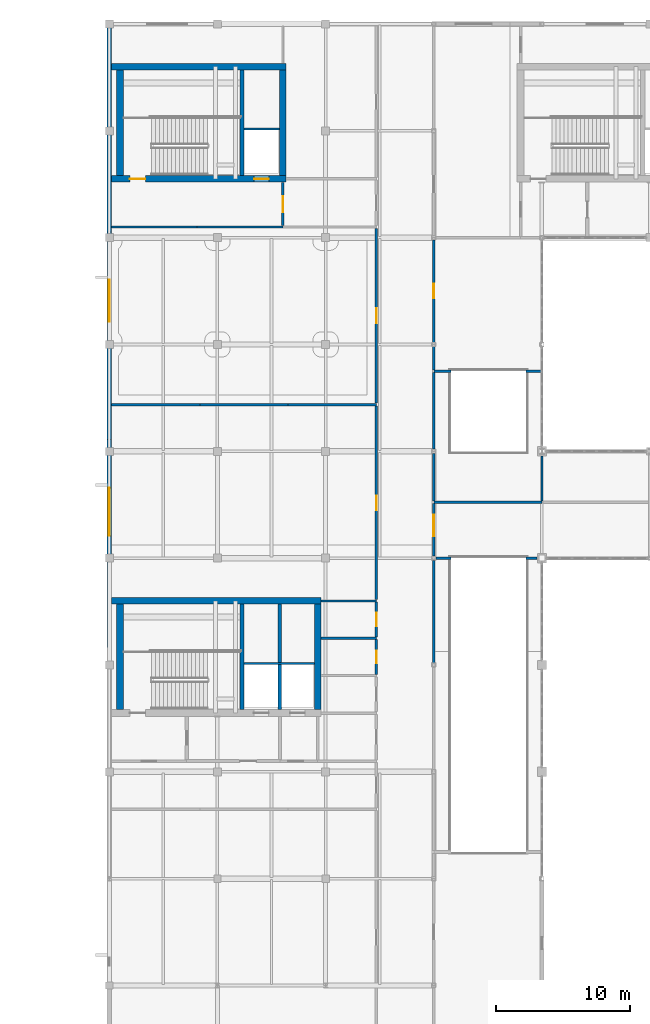
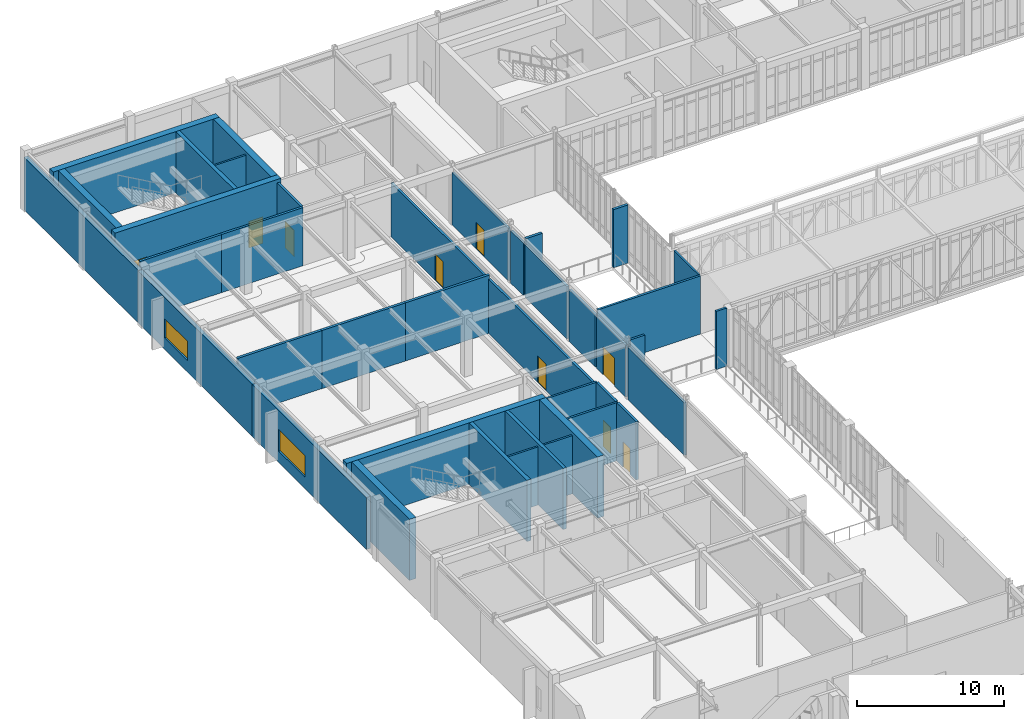
# One storey, part 95 of 107: 39 walls, 9 doors, 2 windows, 11 openings.
"""IFC4 building model written with IfcOpenShell, lengths in metres."""

from ifc_helpers import new_model, si_unit, direction, frame, frame_2d, origin, place, context, subcontext, project, spatial, rectangle, extrude, material, layer, layer_set, type_object, element, fill, save


model = new_model("IFC4")

# Units and contexts
model_context = context("Model", 3, precision=1e-05, world=origin(), true_north=direction((0.0, 1.0)))
body_context = subcontext(model_context, "Body", "Model", "MODEL_VIEW")
ifc_project = project(units=[si_unit("LENGTHUNIT", "METRE"), si_unit("AREAUNIT", "SQUARE_METRE"), si_unit("VOLUMEUNIT", "CUBIC_METRE"), si_unit("PLANEANGLEUNIT", "RADIAN"), si_unit("MASSUNIT", "GRAM", prefix="KILO")], contexts=[model_context])

# Site, building, storey
site_placement = place(None, origin())
site = spatial("IfcSite", under=ifc_project, at=site_placement, CompositionType="ELEMENT")
building_placement = place(site_placement, origin())
building = spatial("IfcBuilding", under=site, at=building_placement, Name="Tarnveldt Square Police Headquarters", CompositionType="ELEMENT")
storey_placement = place(building_placement, frame((0.0, 0.0, 14.699951171875)))
storey = spatial("IfcBuildingStorey", under=building, at=storey_placement, Name="L03", CompositionType="ELEMENT", Elevation=14.699951171875)

# Walls
ifc_material_1 = material(Name="Fire-rated Type X gypsum board on steel studs", Category="steel")
ifc_layer_1 = layer(ifc_material_1, 0.199951171875)
ifc_layer_set_1 = layer_set([ifc_layer_1], Name="Fire-rated Type X gypsum board on steel studs")
wall_type_1 = type_object("IfcWallType", Name="WL-ACOUST-200", PredefinedType="PARTITIONING", material=ifc_layer_set_1)
wall_1_placement = place(storey_placement, frame((16.367919921875, 83.5, 0.0), z_axis=(0.0, 0.0, 1.0), x_axis=(1.0, 0.0, 0.0)))
element("IfcWall", 1, at=wall_1_placement, inside=storey, type_object=wall_type_1, Name="L03 Interior Partition Wall 0441", PredefinedType="PARTITIONING", context=body_context, shape_type="SweptSolid", body=[
    extrude(rectangle(XDim=6.61083984375, YDim=0.199951171875, at=frame_2d((3.305419921875, 0.0))), origin(), (0.0, 0.0, 1.0), 4.840087890625),
])
for number, where, z_axis, x_axis, name in (
    (2, (22.978759765625, 83.5, 0.0), (0.0, 0.0, 1.0), (1.0, 0.0, 0.0), "L03 Interior Partition Wall 0442"),
    (3, (29.58935546875, 83.5, 0.0), (0.0, 0.0, 1.0), (1.0, 0.0, 0.0), "L03 Interior Partition Wall 0443"),
):
    element("IfcWall", number, at=place(storey_placement, frame(where, z_axis=z_axis, x_axis=x_axis)), inside=storey, type_object=wall_type_1, Name=name, PredefinedType="PARTITIONING", context=body_context, shape_type="SweptSolid", body=[
        extrude(rectangle(XDim=6.610595703125, YDim=0.199951171875, at=frame_2d((3.30517578125, 0.0))), origin(), (0.0, 0.0, 1.0), 4.840087890625),
    ])
wall_2_placement = place(storey_placement, frame((40.5, 86.0, 0.0), z_axis=(0.0, 0.0, 1.0), x_axis=(1.0, 0.0, 0.0)))
element("IfcWall", 4, at=wall_2_placement, inside=storey, type_object=wall_type_1, Name="L03 Interior Partition Wall 0464", PredefinedType="PARTITIONING", context=body_context, shape_type="SweptSolid", body=[
    extrude(rectangle(XDim=1.2900390625, YDim=0.199951171875, at=frame_2d((0.64501953125, 0.0))), origin(), (0.0, 0.0, 1.0), 4.840087890625),
])
wall_3_placement = place(storey_placement, frame((47.409912109375, 86.0, 0.0), z_axis=(0.0, 0.0, 1.0), x_axis=(1.0, 0.0, 0.0)))
element("IfcWall", 5, at=wall_3_placement, inside=storey, type_object=wall_type_1, Name="L03 Interior Partition Wall 0465", PredefinedType="PARTITIONING", context=body_context, shape_type="SweptSolid", body=[
    extrude(rectangle(XDim=1.125, YDim=0.199951171875, at=frame_2d((0.5625, 0.0))), origin(), (0.0, 0.0, 1.0), 4.840087890625),
])
ifc_material_2 = material(Name="Concrete 50 MPa", Category="concrete")
ifc_layer_2 = layer(ifc_material_2, 0.449951171875)
ifc_layer_set_2 = layer_set([ifc_layer_2], Name="Concrete 50 MPa")
wall_type_2 = type_object("IfcWallType", Name="WL-CORE-450", PredefinedType="SHEAR", material=ifc_layer_set_2)
wall_4_placement = place(storey_placement, frame((26.14990234375, 60.64990234375, 0.0), z_axis=(0.0, 0.0, 1.0), x_axis=(0.0, 1.0, 0.0)))
element("IfcWall", 6, at=wall_4_placement, inside=storey, type_object=wall_type_2, Name="Core K1 South-West Command and Firefighting Core L03 Stair-Lift Divider Shear Wall", PredefinedType="SHEAR", context=body_context, shape_type="SweptSolid", body=[
    extrude(rectangle(XDim=7.900146484375, YDim=0.300048828125, at=frame_2d((3.9501953125, 0.0))), origin(), (0.0, 0.0, 1.0), 5.10009765625),
])
wall_5_placement = place(storey_placement, frame((28.97509765625, 60.64990234375, 0.0), z_axis=(0.0, 0.0, 1.0), x_axis=(0.0, 1.0, 0.0)))
element("IfcWall", 7, at=wall_5_placement, inside=storey, type_object=wall_type_2, Name="Core K1 South-West Command and Firefighting Core L03 Dual-Lift Shaft Divider Wall", PredefinedType="SHEAR", context=body_context, shape_type="SweptSolid", body=[
    extrude(rectangle(XDim=7.900146484375, YDim=0.25, at=frame_2d((3.9501953125, 0.0))), origin(), (0.0, 0.0, 1.0), 5.10009765625),
])
wall_6_placement = place(storey_placement, frame((26.14990234375, 100.64990234375, 0.0), z_axis=(0.0, 0.0, 1.0), x_axis=(0.0, 1.0, 0.0)))
element("IfcWall", 8, at=wall_6_placement, inside=storey, type_object=wall_type_2, Name="Core K2 North-West Operations Core L03 Stair-Lift Divider Shear Wall", PredefinedType="SHEAR", context=body_context, shape_type="SweptSolid", body=[
    extrude(rectangle(XDim=7.900146484375, YDim=0.300048828125, at=frame_2d((3.9501953125, 0.0))), origin(), (0.0, 0.0, 1.0), 5.10009765625),
])
ifc_layer_3 = layer(ifc_material_2, 0.5)
ifc_layer_set_3 = layer_set([ifc_layer_3], Name="Concrete 50 MPa")
wall_type_3 = type_object("IfcWallType", Name="WL-CORE-500", PredefinedType="SHEAR", material=ifc_layer_set_3)
wall_7_placement = place(storey_placement, frame((16.360107421875, 68.800048828125, 0.0), z_axis=(0.0, 0.0, 1.0), x_axis=(1.0, 0.0, 0.0)))
element("IfcWall", 9, at=wall_7_placement, inside=storey, type_object=wall_type_3, Name="Core K1 South-West Command and Firefighting Core L03 North Shear Wall", PredefinedType="SHEAR", context=body_context, shape_type="SweptSolid", body=[
    extrude(rectangle(XDim=15.68994140625, YDim=0.5, at=frame_2d((7.844970703125, 0.0))), origin(), (0.0, 0.0, 1.0), 5.10009765625),
])
for number, where, z_axis, x_axis, name in (
    (10, (17.0, 60.64990234375, 0.0), (0.0, 0.0, 1.0), (0.0, 1.0, 0.0), "Core K1 South-West Command and Firefighting Core L03 West Shear Wall"),
    (11, (31.800048828125, 60.64990234375, 0.0), (0.0, 0.0, 1.0), (0.0, 1.0, 0.0), "Core K1 South-West Command and Firefighting Core L03 East Shear Wall"),
):
    element("IfcWall", number, at=place(storey_placement, frame(where, z_axis=z_axis, x_axis=x_axis)), inside=storey, type_object=wall_type_3, Name=name, PredefinedType="SHEAR", context=body_context, shape_type="SweptSolid", body=[
        extrude(rectangle(XDim=7.900146484375, YDim=0.5, at=frame_2d((3.9501953125, 0.0))), origin(), (0.0, 0.0, 1.0), 5.10009765625),
    ])

# Wall, openings, doors
wall_8_placement = place(storey_placement, frame((16.360107421875, 100.39990234375, 0.0), z_axis=(0.0, 0.0, 1.0), x_axis=(1.0, 0.0, 0.0)))
wall_8 = element("IfcWall", 12, at=wall_8_placement, inside=storey, type_object=wall_type_3, Name="Core K2 North-West Operations Core L03 South Shear Wall", PredefinedType="SHEAR", context=body_context, shape_type="SweptSolid", body=[
    extrude(rectangle(XDim=13.08984375, YDim=0.5, at=frame_2d((6.544921875, 0.0))), origin(), (0.0, 0.0, 1.0), 5.10009765625),
])
opening_1_placement = place(wall_8_placement, frame((1.389892578125, 0.0, 0.0)))
opening_1 = element("IfcOpeningElement", 13, at=opening_1_placement, cuts=wall_8, Name="Opening D-ST2-L03", PredefinedType="OPENING", context=body_context, shape_type="SweptSolid", body=[
    extrude(rectangle(XDim=1.14990234375, YDim=2.25, at=frame_2d((0.574951171875, 1.125))), frame((0.0, 0.260009765625, 0.0), z_axis=(0.0, -1.0, 0.0), x_axis=(1.0, 0.0, 0.0)), (0.0, 0.0, 1.0), 0.52001953125),
])
opening_2_placement = place(wall_8_placement, frame((10.695068359375, 0.0, 0.0)))
opening_2 = element("IfcOpeningElement", 14, at=opening_2_placement, cuts=wall_8, Name="Opening LD-LP2-L03", PredefinedType="OPENING", context=body_context, shape_type="SweptSolid", body=[
    extrude(rectangle(XDim=1.10009765625, YDim=2.199951171875, at=frame_2d((0.550048828125, 1.10009765625))), frame((0.0, 0.260009765625, 0.0), z_axis=(0.0, -1.0, 0.0), x_axis=(1.0, 0.0, 0.0)), (0.0, 0.0, 1.0), 0.52001953125),
])
ifc_material_3 = material(Name="Insulated hollow metal steel door leaf", Category="steel")
door_type_1 = type_object("IfcDoorType", Name="DR-FD90-1150", OperationType="NOTDEFINED", PredefinedType="DOOR", material=ifc_material_3)
door_1_placement = place(opening_1_placement, origin())
door_1 = element("IfcDoor", 15, at=door_1_placement, inside=storey, type_object=door_type_1, Name="Exit Stair ST2 L03 Fire Door", OperationType="SINGLE_SWING_LEFT", OverallHeight=2.25, OverallWidth=1.14990234375, PredefinedType="DOOR", context=body_context, shape_type="SweptSolid", body=[
    extrude(rectangle(XDim=1.14990234375, YDim=2.25, at=frame_2d((0.574951171875, 1.125))), frame((0.0, 0.02490234375, 0.0), z_axis=(0.0, -1.0, 0.0), x_axis=(1.0, 0.0, 0.0)), (0.0, 0.0, 1.0), 0.050048828125),
])
fill(opening_1, door_1)
ifc_material_4 = material(Name="Steel 350W", Category="steel")
door_type_2 = type_object("IfcDoorType", Name="DR-LD-1100", OperationType="DOUBLE_DOOR_SLIDING", PredefinedType="DOOR", material=ifc_material_4)
door_2_placement = place(opening_2_placement, frame((1.10009765625, 0.0, 0.0), z_axis=(0.0, 0.0, 1.0), x_axis=(-1.0, 0.0, 0.0)))
door_2 = element("IfcDoor", 16, at=door_2_placement, inside=storey, type_object=door_type_2, Name="Elevator LP2 L03 Sliding Landing Door", OperationType="DOUBLE_DOOR_SLIDING", OverallHeight=2.199951171875, OverallWidth=1.10009765625, PredefinedType="DOOR", context=body_context, shape_type="SweptSolid", body=[
    extrude(rectangle(XDim=1.10009765625, YDim=2.199951171875, at=frame_2d((0.550048828125, 1.10009765625))), frame((0.0, 0.02490234375, 0.0), z_axis=(0.0, -1.0, 0.0), x_axis=(1.0, 0.0, 0.0)), (0.0, 0.0, 1.0), 0.050048828125),
])
fill(opening_2, door_2)

# Walls
wall_9_placement = place(storey_placement, frame((16.360107421875, 108.800048828125, 0.0), z_axis=(0.0, 0.0, 1.0), x_axis=(1.0, 0.0, 0.0)))
element("IfcWall", 17, at=wall_9_placement, inside=storey, type_object=wall_type_3, Name="Core K2 North-West Operations Core L03 North Shear Wall", PredefinedType="SHEAR", context=body_context, shape_type="SweptSolid", body=[
    extrude(rectangle(XDim=13.08984375, YDim=0.5, at=frame_2d((6.544921875, 0.0))), origin(), (0.0, 0.0, 1.0), 5.10009765625),
])
for number, where, z_axis, x_axis, name in (
    (18, (17.0, 100.64990234375, 0.0), (0.0, 0.0, 1.0), (0.0, 1.0, 0.0), "Core K2 North-West Operations Core L03 West Shear Wall"),
    (19, (29.199951171875, 100.64990234375, 0.0), (0.0, 0.0, 1.0), (0.0, 1.0, 0.0), "Core K2 North-West Operations Core L03 East Shear Wall"),
):
    element("IfcWall", number, at=place(storey_placement, frame(where, z_axis=z_axis, x_axis=x_axis)), inside=storey, type_object=wall_type_3, Name=name, PredefinedType="SHEAR", context=body_context, shape_type="SweptSolid", body=[
        extrude(rectangle(XDim=7.900146484375, YDim=0.5, at=frame_2d((3.9501953125, 0.0))), origin(), (0.0, 0.0, 1.0), 5.10009765625),
    ])
ifc_material_5 = material(Name="Concrete 40 MPa", Category="concrete")
ifc_layer_4 = layer(ifc_material_5, 0.320068359375)
ifc_layer_set_4 = layer_set([ifc_layer_4], Name="Concrete 40 MPa")
wall_type_4 = type_object("IfcWallType", Name="WL-EXT-BH320", PredefinedType="SOLIDWALL", material=ifc_layer_set_4)
wall_10_placement = place(storey_placement, frame((16.199951171875, 112.0, 0.0), z_axis=(0.0, 0.0, 1.0), x_axis=(0.0, -1.0, 0.0)))
element("IfcWall", 20, at=wall_10_placement, inside=storey, type_object=wall_type_4, Name="L03 Brutalist Exterior Wall 0179", PredefinedType="SOLIDWALL", context=body_context, shape_type="SweptSolid", body=[
    extrude(rectangle(XDim=15.56396484375, YDim=0.320068359375, at=frame_2d((7.781982421875, 0.0))), origin(), (0.0, 0.0, 1.0), 4.369140625),
])

# Wall, opening, window
wall_11_placement = place(storey_placement, frame((16.199951171875, 96.43603515625, 0.0), z_axis=(0.0, 0.0, 1.0), x_axis=(0.0, -1.0, 0.0)))
wall_11 = element("IfcWall", 21, at=wall_11_placement, inside=storey, type_object=wall_type_4, Name="L03 Brutalist Exterior Wall 0180", PredefinedType="SOLIDWALL", context=body_context, shape_type="SweptSolid", body=[
    extrude(rectangle(XDim=15.56396484375, YDim=0.320068359375, at=frame_2d((7.781982421875, 0.0))), origin(), (0.0, 0.0, 1.0), 4.33203125),
])
opening_3_placement = place(wall_11_placement, frame((3.60009765625, 0.0, 0.949951171875)))
opening_3 = element("IfcOpeningElement", 22, at=opening_3_placement, cuts=wall_11, Name="Opening W18", PredefinedType="OPENING", context=body_context, shape_type="SweptSolid", body=[
    extrude(rectangle(XDim=3.14990234375, YDim=1.60009765625, at=frame_2d((1.574951171875, 0.800048828125))), frame((0.0, 0.169921875, 0.0), z_axis=(0.0, -1.0, 0.0), x_axis=(1.0, 0.0, 0.0)), (0.0, 0.0, 1.0), 0.340087890625),
])
ifc_material_6 = material(Name="Triple-glazed low-e laminated vision glass", Category="glass")
window_type_1 = type_object("IfcWindowType", Name="WIN-DR-315x160", PartitioningType="TRIPLE_PANEL_VERTICAL", PredefinedType="WINDOW", material=ifc_material_6)
window_1_placement = place(opening_3_placement, origin())
window_1 = element("IfcWindow", 23, at=window_1_placement, inside=storey, type_object=window_type_1, Name="L03 Deep-Reveal Brutalist Window 0090", OverallHeight=1.60009765625, OverallWidth=3.14990234375, PartitioningType="TRIPLE_PANEL_VERTICAL", PredefinedType="WINDOW", context=body_context, shape_type="SweptSolid", body=[
    extrude(rectangle(XDim=3.14990234375, YDim=1.60009765625, at=frame_2d((1.574951171875, 0.800048828125))), frame((0.0, 0.030029296875, 0.0), z_axis=(0.0, -1.0, 0.0), x_axis=(1.0, 0.0, 0.0)), (0.0, 0.0, 1.0), 0.06005859375),
])
fill(opening_3, window_1)

wall_12_placement = place(storey_placement, frame((16.199951171875, 80.8720703125, 0.0), z_axis=(0.0, 0.0, 1.0), x_axis=(0.0, -1.0, 0.0)))
wall_12 = element("IfcWall", 24, at=wall_12_placement, inside=storey, type_object=wall_type_4, Name="L03 Brutalist Exterior Wall 0181", PredefinedType="SOLIDWALL", context=body_context, shape_type="SweptSolid", body=[
    extrude(rectangle(XDim=15.56396484375, YDim=0.320068359375, at=frame_2d((7.781982421875, 0.0))), origin(), (0.0, 0.0, 1.0), 4.33203125),
])
opening_4_placement = place(wall_12_placement, frame((3.60009765625, 0.0, 0.949951171875)))
opening_4 = element("IfcOpeningElement", 25, at=opening_4_placement, cuts=wall_12, Name="Opening W19", PredefinedType="OPENING", context=body_context, shape_type="SweptSolid", body=[
    extrude(rectangle(XDim=3.60009765625, YDim=1.800048828125, at=frame_2d((1.800048828125, 0.89990234375))), frame((0.0, 0.169921875, 0.0), z_axis=(0.0, -1.0, 0.0), x_axis=(1.0, 0.0, 0.0)), (0.0, 0.0, 1.0), 0.340087890625),
])
window_type_2 = type_object("IfcWindowType", Name="WIN-DR-360x180", PartitioningType="TRIPLE_PANEL_VERTICAL", PredefinedType="WINDOW", material=ifc_material_6)
window_2_placement = place(opening_4_placement, origin())
window_2 = element("IfcWindow", 26, at=window_2_placement, inside=storey, type_object=window_type_2, Name="L03 Deep-Reveal Brutalist Window 0091", OverallHeight=1.800048828125, OverallWidth=3.60009765625, PartitioningType="TRIPLE_PANEL_VERTICAL", PredefinedType="WINDOW", context=body_context, shape_type="SweptSolid", body=[
    extrude(rectangle(XDim=3.60009765625, YDim=1.800048828125, at=frame_2d((1.800048828125, 0.89990234375))), frame((0.0, 0.030029296875, 0.0), z_axis=(0.0, -1.0, 0.0), x_axis=(1.0, 0.0, 0.0)), (0.0, 0.0, 1.0), 0.06005859375),
])
fill(opening_4, window_2)

# Walls
ifc_layer_5 = layer(ifc_material_1, 0.179931640625)
ifc_layer_set_5 = layer_set([ifc_layer_5], Name="Fire-rated Type X gypsum board on steel studs")
wall_type_5 = type_object("IfcWallType", Name="WL-FIRE-180", PredefinedType="PARTITIONING", material=ifc_layer_set_5)
for number, where, z_axis, x_axis, name in (
    (27, (16.367919921875, 96.800048828125, 0.0), (0.0, 0.0, 1.0), (1.0, 0.0, 0.0), "L03 Interior Partition Wall 0444"),
    (28, (22.783935546875, 96.800048828125, 0.0), (0.0, 0.0, 1.0), (1.0, 0.0, 0.0), "L03 Interior Partition Wall 0445"),
):
    element("IfcWall", number, at=place(storey_placement, frame(where, z_axis=z_axis, x_axis=x_axis)), inside=storey, type_object=wall_type_5, Name=name, PredefinedType="PARTITIONING", context=body_context, shape_type="SweptSolid", body=[
        extrude(rectangle(XDim=6.416015625, YDim=0.179931640625, at=frame_2d((3.2080078125, 0.0))), origin(), (0.0, 0.0, 1.0), 4.840087890625),
    ])
wall_13_placement = place(storey_placement, frame((40.660400390625, 72.0, 0.0), z_axis=(0.0, 0.0, 1.0), x_axis=(1.0, 0.0, 0.0)))
element("IfcWall", 29, at=wall_13_placement, inside=storey, type_object=wall_type_5, Name="L03 Interior Partition Wall 0461", PredefinedType="PARTITIONING", context=body_context, shape_type="SweptSolid", body=[
    extrude(rectangle(XDim=1.129638671875, YDim=0.179931640625, at=frame_2d((0.56494140625, 0.0))), origin(), (0.0, 0.0, 1.0), 4.840087890625),
])
wall_14_placement = place(storey_placement, frame((47.409912109375, 72.0, 0.0), z_axis=(0.0, 0.0, 1.0), x_axis=(1.0, 0.0, 0.0)))
element("IfcWall", 30, at=wall_14_placement, inside=storey, type_object=wall_type_5, Name="L03 Interior Partition Wall 0462", PredefinedType="PARTITIONING", context=body_context, shape_type="SweptSolid", body=[
    extrude(rectangle(XDim=0.83203125, YDim=0.179931640625, at=frame_2d((0.416015625, 0.0))), origin(), (0.0, 0.0, 1.0), 4.840087890625),
])
wall_15_placement = place(storey_placement, frame((40.5, 76.199951171875, 0.0), z_axis=(0.0, 0.0, 1.0), x_axis=(1.0, 0.0, 0.0)))
element("IfcWall", 31, at=wall_15_placement, inside=storey, type_object=wall_type_5, Name="L03 Interior Partition Wall 0463", PredefinedType="PARTITIONING", context=body_context, shape_type="SweptSolid", body=[
    extrude(rectangle(XDim=8.10009765625, YDim=0.179931640625, at=frame_2d((4.050048828125, 0.0))), origin(), (0.0, 0.0, 1.0), 4.840087890625),
])

# Wall, opening, door
wall_16_placement = place(storey_placement, frame((29.199951171875, 96.89794921875, 0.0), z_axis=(0.0, 0.0, 1.0), x_axis=(0.0, 1.0, 0.0)))
wall_16 = element("IfcWall", 32, at=wall_16_placement, inside=storey, type_object=wall_type_5, Name="L03 Interior Partition Wall 0484", PredefinedType="PARTITIONING", context=body_context, shape_type="SweptSolid", body=[
    extrude(rectangle(XDim=3.244140625, YDim=0.179931640625, at=frame_2d((1.6220703125, 0.0))), origin(), (0.0, 0.0, 1.0), 4.840087890625),
])
opening_5_placement = place(wall_16_placement, frame((1.02197265625, 0.0, 0.0)))
opening_5 = element("IfcOpeningElement", 33, at=opening_5_placement, cuts=wall_16, Name="Opening D16", PredefinedType="OPENING", context=body_context, shape_type="SweptSolid", body=[
    extrude(rectangle(XDim=1.199951171875, YDim=2.199951171875, at=frame_2d((0.60009765625, 1.10009765625))), frame((0.0, 0.099853515625, 0.0), z_axis=(0.0, -1.0, 0.0), x_axis=(1.0, 0.0, 0.0)), (0.0, 0.0, 1.0), 0.199951171875),
])
door_type_3 = type_object("IfcDoorType", Name="DR-FD60-1200", OperationType="NOTDEFINED", PredefinedType="DOOR", material=ifc_material_3)
door_3_placement = place(opening_5_placement, frame((1.199951171875, 0.0, 0.0), z_axis=(0.0, 0.0, 1.0), x_axis=(-1.0, 0.0, 0.0)))
door_3 = element("IfcDoor", 34, at=door_3_placement, inside=storey, type_object=door_type_3, Name="Core Lift Lobby K2-L03 Door", OperationType="SINGLE_SWING_RIGHT", OverallHeight=2.199951171875, OverallWidth=1.199951171875, PredefinedType="DOOR", context=body_context, shape_type="SweptSolid", body=[
    extrude(rectangle(XDim=1.199951171875, YDim=2.199951171875, at=frame_2d((0.60009765625, 1.10009765625))), frame((0.0, 0.02490234375, 0.0), z_axis=(0.0, -1.0, 0.0), x_axis=(1.0, 0.0, 0.0)), (0.0, 0.0, 1.0), 0.050048828125),
])
fill(opening_5, door_3)

wall_17_placement = place(storey_placement, frame((36.199951171875, 63.2880859375, 0.0), z_axis=(0.0, 0.0, 1.0), x_axis=(0.0, 1.0, 0.0)))
wall_17 = element("IfcWall", 35, at=wall_17_placement, inside=storey, type_object=wall_type_5, Name="L03 Interior Partition Wall 0494", PredefinedType="PARTITIONING", context=body_context, shape_type="SweptSolid", body=[
    extrude(rectangle(XDim=2.6240234375, YDim=0.179931640625, at=frame_2d((1.31201171875, 0.0))), origin(), (0.0, 0.0, 1.0), 4.840087890625),
])
opening_6_placement = place(wall_17_placement, frame((0.8369140625, 0.0, 0.0)))
opening_6 = element("IfcOpeningElement", 36, at=opening_6_placement, cuts=wall_17, Name="Opening D02", PredefinedType="OPENING", context=body_context, shape_type="SweptSolid", body=[
    extrude(rectangle(XDim=0.949951171875, YDim=2.10009765625, at=frame_2d((0.47509765625, 1.050048828125))), frame((0.0, 0.099853515625, 0.0), z_axis=(0.0, -1.0, 0.0), x_axis=(1.0, 0.0, 0.0)), (0.0, 0.0, 1.0), 0.199951171875),
])
ifc_material_7 = material(Name="Solid core architectural birch door leaf", Category="wood")
door_type_4 = type_object("IfcDoorType", Name="DR-WC-950", OperationType="NOTDEFINED", PredefinedType="DOOR", material=ifc_material_7)
door_4_placement = place(opening_6_placement, origin())
door_4 = element("IfcDoor", 37, at=door_4_placement, inside=storey, type_object=door_type_4, Name="Women Washroom L03 Door", OperationType="SINGLE_SWING_RIGHT", OverallHeight=2.10009765625, OverallWidth=0.949951171875, PredefinedType="DOOR", context=body_context, shape_type="SweptSolid", body=[
    extrude(rectangle(XDim=0.949951171875, YDim=2.10009765625, at=frame_2d((0.47509765625, 1.050048828125))), frame((0.0, 0.02490234375, 0.0), z_axis=(0.0, -1.0, 0.0), x_axis=(1.0, 0.0, 0.0)), (0.0, 0.0, 1.0), 0.050048828125),
])
fill(opening_6, door_4)

wall_18_placement = place(storey_placement, frame((36.199951171875, 66.087890625, 0.0), z_axis=(0.0, 0.0, 1.0), x_axis=(0.0, 1.0, 0.0)))
wall_18 = element("IfcWall", 38, at=wall_18_placement, inside=storey, type_object=wall_type_5, Name="L03 Interior Partition Wall 0495", PredefinedType="PARTITIONING", context=body_context, shape_type="SweptSolid", body=[
    extrude(rectangle(XDim=2.6240234375, YDim=0.179931640625, at=frame_2d((1.31201171875, 0.0))), origin(), (0.0, 0.0, 1.0), 4.840087890625),
])
opening_7_placement = place(wall_18_placement, frame((0.81201171875, 0.0, 0.0)))
opening_7 = element("IfcOpeningElement", 39, at=opening_7_placement, cuts=wall_18, Name="Opening D04", PredefinedType="OPENING", context=body_context, shape_type="SweptSolid", body=[
    extrude(rectangle(XDim=1.0, YDim=2.14990234375, at=frame_2d((0.5, 1.074951171875))), frame((0.0, 0.099853515625, 0.0), z_axis=(0.0, -1.0, 0.0), x_axis=(1.0, 0.0, 0.0)), (0.0, 0.0, 1.0), 0.199951171875),
])
door_type_5 = type_object("IfcDoorType", Name="DR-ACC-1000", OperationType="NOTDEFINED", PredefinedType="DOOR", material=ifc_material_7)
door_5_placement = place(opening_7_placement, origin())
door_5 = element("IfcDoor", 40, at=door_5_placement, inside=storey, type_object=door_type_5, Name="Accessible WC L03 Door", OperationType="SINGLE_SWING_LEFT", OverallHeight=2.14990234375, OverallWidth=1.0, PredefinedType="DOOR", context=body_context, shape_type="SweptSolid", body=[
    extrude(rectangle(XDim=1.0, YDim=2.14990234375, at=frame_2d((0.5, 1.074951171875))), frame((0.0, 0.02490234375, 0.0), z_axis=(0.0, -1.0, 0.0), x_axis=(1.0, 0.0, 0.0)), (0.0, 0.0, 1.0), 0.050048828125),
])
fill(opening_7, door_5)

wall_19_placement = place(storey_placement, frame((36.199951171875, 68.887939453125, 0.0), z_axis=(0.0, 0.0, 1.0), x_axis=(0.0, 1.0, 0.0)))
wall_19 = element("IfcWall", 41, at=wall_19_placement, inside=storey, type_object=wall_type_5, Name="L03 Interior Partition Wall 0496", PredefinedType="PARTITIONING", context=body_context, shape_type="SweptSolid", body=[
    extrude(rectangle(XDim=14.504150390625, YDim=0.179931640625, at=frame_2d((7.251953125, 0.0))), origin(), (0.0, 0.0, 1.0), 4.529052734375),
])
opening_8_placement = place(wall_19_placement, frame((6.701904296875, 0.0, 0.0)))
opening_8 = element("IfcOpeningElement", 42, at=opening_8_placement, cuts=wall_19, Name="Opening D07", PredefinedType="OPENING", context=body_context, shape_type="SweptSolid", body=[
    extrude(rectangle(XDim=1.10009765625, YDim=2.199951171875, at=frame_2d((0.550048828125, 1.10009765625))), frame((0.0, 0.099853515625, 0.0), z_axis=(0.0, -1.0, 0.0), x_axis=(1.0, 0.0, 0.0)), (0.0, 0.0, 1.0), 0.199951171875),
])
door_type_6 = type_object("IfcDoorType", Name="DR-INT-1100", OperationType="NOTDEFINED", PredefinedType="DOOR", material=ifc_material_7)
door_6_placement = place(opening_8_placement, origin())
door_6 = element("IfcDoor", 43, at=door_6_placement, inside=storey, type_object=door_type_6, Name="Organized Crime Enforcement Bureau Door", OperationType="SINGLE_SWING_RIGHT", OverallHeight=2.199951171875, OverallWidth=1.10009765625, PredefinedType="DOOR", context=body_context, shape_type="SweptSolid", body=[
    extrude(rectangle(XDim=1.10009765625, YDim=2.199951171875, at=frame_2d((0.550048828125, 1.10009765625))), frame((0.0, 0.02490234375, 0.0), z_axis=(0.0, -1.0, 0.0), x_axis=(1.0, 0.0, 0.0)), (0.0, 0.0, 1.0), 0.050048828125),
])
fill(opening_8, door_6)

wall_20_placement = place(storey_placement, frame((36.199951171875, 83.60791015625, 0.0), z_axis=(0.0, 0.0, 1.0), x_axis=(0.0, 1.0, 0.0)))
wall_20 = element("IfcWall", 44, at=wall_20_placement, inside=storey, type_object=wall_type_5, Name="L03 Interior Partition Wall 0497", PredefinedType="PARTITIONING", context=body_context, shape_type="SweptSolid", body=[
    extrude(rectangle(XDim=13.093994140625, YDim=0.179931640625, at=frame_2d((6.546875, 0.0))), origin(), (0.0, 0.0, 1.0), 4.47802734375),
])
opening_9_placement = place(wall_20_placement, frame((5.9970703125, 0.0, 0.0)))
opening_9 = element("IfcOpeningElement", 45, at=opening_9_placement, cuts=wall_20, Name="Opening D07", PredefinedType="OPENING", context=body_context, shape_type="SweptSolid", body=[
    extrude(rectangle(XDim=1.10009765625, YDim=2.199951171875, at=frame_2d((0.550048828125, 1.10009765625))), frame((0.0, 0.099853515625, 0.0), z_axis=(0.0, -1.0, 0.0), x_axis=(1.0, 0.0, 0.0)), (0.0, 0.0, 1.0), 0.199951171875),
])
door_7_placement = place(opening_9_placement, origin())
door_7 = element("IfcDoor", 46, at=door_7_placement, inside=storey, type_object=door_type_6, Name="Joint Task Force Briefing Room Door", OperationType="SINGLE_SWING_LEFT", OverallHeight=2.199951171875, OverallWidth=1.10009765625, PredefinedType="DOOR", context=body_context, shape_type="SweptSolid", body=[
    extrude(rectangle(XDim=1.10009765625, YDim=2.199951171875, at=frame_2d((0.550048828125, 1.10009765625))), frame((0.0, 0.02490234375, 0.0), z_axis=(0.0, -1.0, 0.0), x_axis=(1.0, 0.0, 0.0)), (0.0, 0.0, 1.0), 0.050048828125),
])
fill(opening_9, door_7)

# Wall
wall_21_placement = place(storey_placement, frame((40.5, 64.160400390625, 0.0), z_axis=(0.0, 0.0, 1.0), x_axis=(0.0, 1.0, 0.0)))
element("IfcWall", 47, at=wall_21_placement, inside=storey, type_object=wall_type_5, Name="L03 Interior Partition Wall 0505", PredefinedType="PARTITIONING", context=body_context, shape_type="SweptSolid", body=[
    extrude(rectangle(XDim=7.67919921875, YDim=0.179931640625, at=frame_2d((3.839599609375, 0.0))), origin(), (0.0, 0.0, 1.0), 4.369140625),
])

# Wall, opening, door
wall_22_placement = place(storey_placement, frame((40.5, 72.160400390625, 0.0), z_axis=(0.0, 0.0, 1.0), x_axis=(0.0, 1.0, 0.0)))
wall_22 = element("IfcWall", 48, at=wall_22_placement, inside=storey, type_object=wall_type_5, Name="L03 Interior Partition Wall 0506", PredefinedType="PARTITIONING", context=body_context, shape_type="SweptSolid", body=[
    extrude(rectangle(XDim=3.941650390625, YDim=0.179931640625, at=frame_2d((1.970703125, 0.0))), origin(), (0.0, 0.0, 1.0), 4.33203125),
])
opening_10_placement = place(wall_22_placement, frame((1.486083984375, 0.0, 0.0)))
opening_10 = element("IfcOpeningElement", 49, at=opening_10_placement, cuts=wall_22, Name="Opening D23", PredefinedType="OPENING", context=body_context, shape_type="SweptSolid", body=[
    extrude(rectangle(XDim=1.60009765625, YDim=2.35009765625, at=frame_2d((0.800048828125, 1.175048828125))), frame((0.0, 0.099853515625, 0.0), z_axis=(0.0, -1.0, 0.0), x_axis=(1.0, 0.0, 0.0)), (0.0, 0.0, 1.0), 0.199951171875),
])
door_type_7 = type_object("IfcDoorType", Name="DR-PAIR-1600", OperationType="DOUBLE_DOOR_SINGLE_SWING", PredefinedType="DOOR", material=ifc_material_7)
door_8_placement = place(opening_10_placement, frame((1.60009765625, 0.0, 0.0), z_axis=(0.0, 0.0, 1.0), x_axis=(-1.0, 0.0, 0.0)))
door_8 = element("IfcDoor", 50, at=door_8_placement, inside=storey, type_object=door_type_7, Name="North Courtyard Glazed Skybridge Corridor Door", OperationType="DOUBLE_DOOR_SINGLE_SWING", OverallHeight=2.35009765625, OverallWidth=1.60009765625, PredefinedType="DOOR", context=body_context, shape_type="SweptSolid", body=[
    extrude(rectangle(XDim=1.60009765625, YDim=2.35009765625, at=frame_2d((0.800048828125, 1.175048828125))), frame((0.0, 0.02490234375, 0.0), z_axis=(0.0, -1.0, 0.0), x_axis=(1.0, 0.0, 0.0)), (0.0, 0.0, 1.0), 0.050048828125),
])
fill(opening_10, door_8)

# Walls
wall_23_placement = place(storey_placement, frame((40.5, 76.298095703125, 0.0), z_axis=(0.0, 0.0, 1.0), x_axis=(0.0, 1.0, 0.0)))
element("IfcWall", 51, at=wall_23_placement, inside=storey, type_object=wall_type_5, Name="L03 Interior Partition Wall 0507", PredefinedType="PARTITIONING", context=body_context, shape_type="SweptSolid", body=[
    extrude(rectangle(XDim=3.54150390625, YDim=0.179931640625, at=frame_2d((1.770751953125, 0.0))), origin(), (0.0, 0.0, 1.0), 4.33203125),
])
wall_24_placement = place(storey_placement, frame((40.5, 80.160400390625, 0.0), z_axis=(0.0, 0.0, 1.0), x_axis=(0.0, 1.0, 0.0)))
element("IfcWall", 52, at=wall_24_placement, inside=storey, type_object=wall_type_5, Name="L03 Interior Partition Wall 0508", PredefinedType="PARTITIONING", context=body_context, shape_type="SweptSolid", body=[
    extrude(rectangle(XDim=5.731689453125, YDim=0.179931640625, at=frame_2d((2.86572265625, 0.0))), origin(), (0.0, 0.0, 1.0), 4.369140625),
])
wall_25_placement = place(storey_placement, frame((40.5, 86.10791015625, 0.0), z_axis=(0.0, 0.0, 1.0), x_axis=(0.0, 1.0, 0.0)))
element("IfcWall", 53, at=wall_25_placement, inside=storey, type_object=wall_type_5, Name="L03 Interior Partition Wall 0509", PredefinedType="PARTITIONING", context=body_context, shape_type="SweptSolid", body=[
    extrude(rectangle(XDim=1.731689453125, YDim=0.179931640625, at=frame_2d((0.86572265625, 0.0))), origin(), (0.0, 0.0, 1.0), 4.369140625),
])

# Wall, opening, door
wall_26_placement = place(storey_placement, frame((40.5, 88.160400390625, 0.0), z_axis=(0.0, 0.0, 1.0), x_axis=(0.0, 1.0, 0.0)))
wall_26 = element("IfcWall", 54, at=wall_26_placement, inside=storey, type_object=wall_type_5, Name="L03 Interior Partition Wall 0510", PredefinedType="PARTITIONING", context=body_context, shape_type="SweptSolid", body=[
    extrude(rectangle(XDim=7.67919921875, YDim=0.179931640625, at=frame_2d((3.839599609375, 0.0))), origin(), (0.0, 0.0, 1.0), 4.369140625),
])
opening_11_placement = place(wall_26_placement, frame((3.28955078125, 0.0, 0.0)))
opening_11 = element("IfcOpeningElement", 55, at=opening_11_placement, cuts=wall_26, Name="Opening D07", PredefinedType="OPENING", context=body_context, shape_type="SweptSolid", body=[
    extrude(rectangle(XDim=1.10009765625, YDim=2.199951171875, at=frame_2d((0.550048828125, 1.10009765625))), frame((0.0, 0.099853515625, 0.0), z_axis=(0.0, -1.0, 0.0), x_axis=(1.0, 0.0, 0.0)), (0.0, 0.0, 1.0), 0.199951171875),
])
door_9_placement = place(opening_11_placement, frame((1.10009765625, 0.0, 0.0), z_axis=(0.0, 0.0, 1.0), x_axis=(-1.0, 0.0, 0.0)))
door_9 = element("IfcDoor", 56, at=door_9_placement, inside=storey, type_object=door_type_6, Name="Forensic Case Coordination Room L03 Door", OperationType="SINGLE_SWING_LEFT", OverallHeight=2.199951171875, OverallWidth=1.10009765625, PredefinedType="DOOR", context=body_context, shape_type="SweptSolid", body=[
    extrude(rectangle(XDim=1.10009765625, YDim=2.199951171875, at=frame_2d((0.550048828125, 1.10009765625))), frame((0.0, 0.02490234375, 0.0), z_axis=(0.0, -1.0, 0.0), x_axis=(1.0, 0.0, 0.0)), (0.0, 0.0, 1.0), 0.050048828125),
])
fill(opening_11, door_9)

# Walls
ifc_layer_6 = layer(ifc_material_1, 0.1298828125)
ifc_layer_set_6 = layer_set([ifc_layer_6], Name="Fire-rated Type X gypsum board on steel studs")
wall_type_6 = type_object("IfcWallType", Name="WL-PART-130", PredefinedType="PARTITIONING", material=ifc_layer_set_6)
wall_27_placement = place(storey_placement, frame((48.60009765625, 76.298095703125, 0.0), z_axis=(0.0, 0.0, 1.0), x_axis=(0.0, 1.0, 0.0)))
element("IfcWall", 57, at=wall_27_placement, inside=storey, type_object=wall_type_6, Name="L03 Interior Partition Wall 0518", PredefinedType="PARTITIONING", context=body_context, shape_type="SweptSolid", body=[
    extrude(rectangle(XDim=3.343994140625, YDim=0.1298828125, at=frame_2d((1.671875, 0.0))), origin(), (0.0, 0.0, 1.0), 4.840087890625),
])
ifc_layer_7 = layer(ifc_material_1, 0.14990234375)
ifc_layer_set_7 = layer_set([ifc_layer_7], Name="Fire-rated Type X gypsum board on steel studs")
wall_type_7 = type_object("IfcWallType", Name="WL-SHAFT-150", PredefinedType="PARTITIONING", material=ifc_layer_set_7)
wall_28_placement = place(storey_placement, frame((26.300048828125, 64.1201171875, 0.0), z_axis=(0.0, 0.0, 1.0), x_axis=(1.0, 0.0, 0.0)))
element("IfcWall", 58, at=wall_28_placement, inside=storey, type_object=wall_type_7, Name="K1 L03 Elevator Shaft Back Wall", PredefinedType="PARTITIONING", context=body_context, shape_type="SweptSolid", body=[
    extrude(rectangle(XDim=5.25, YDim=0.14990234375, at=frame_2d((2.625, 0.0))), origin(), (0.0, 0.0, 1.0), 4.840087890625),
])
wall_29_placement = place(storey_placement, frame((26.300048828125, 104.1201171875, 0.0), z_axis=(0.0, 0.0, 1.0), x_axis=(1.0, 0.0, 0.0)))
element("IfcWall", 59, at=wall_29_placement, inside=storey, type_object=wall_type_7, Name="K2 L03 Elevator Shaft Back Wall", PredefinedType="PARTITIONING", context=body_context, shape_type="SweptSolid", body=[
    extrude(rectangle(XDim=2.64990234375, YDim=0.14990234375, at=frame_2d((1.324951171875, 0.0))), origin(), (0.0, 0.0, 1.0), 4.840087890625),
])
ifc_material_8 = material(Name="Concrete block masonry 15 MPa", Category="masonry")
ifc_layer_8 = layer(ifc_material_8, 0.159912109375)
ifc_layer_set_8 = layer_set([ifc_layer_8], Name="Concrete block masonry 15 MPa")
wall_type_8 = type_object("IfcWallType", Name="WL-WET-160", PredefinedType="PARTITIONING", material=ifc_layer_set_8)
wall_30_placement = place(storey_placement, frame((32.05810546875, 66.0, 0.0), z_axis=(0.0, 0.0, 1.0), x_axis=(1.0, 0.0, 0.0)))
element("IfcWall", 60, at=wall_30_placement, inside=storey, type_object=wall_type_8, Name="L03 Interior Partition Wall 0454", PredefinedType="PARTITIONING", context=body_context, shape_type="SweptSolid", body=[
    extrude(rectangle(XDim=4.141845703125, YDim=0.159912109375, at=frame_2d((2.07080078125, 0.0))), origin(), (0.0, 0.0, 1.0), 4.840087890625),
])
wall_31_placement = place(storey_placement, frame((32.050048828125, 68.800048828125, 0.0), z_axis=(0.0, 0.0, 1.0), x_axis=(1.0, 0.0, 0.0)))
element("IfcWall", 61, at=wall_31_placement, inside=storey, type_object=wall_type_8, Name="L03 Interior Partition Wall 0455", PredefinedType="PARTITIONING", context=body_context, shape_type="SweptSolid", body=[
    extrude(rectangle(XDim=4.14990234375, YDim=0.159912109375, at=frame_2d((2.074951171875, 0.0))), origin(), (0.0, 0.0, 1.0), 4.840087890625),
])

save(model, "model.ifc")
